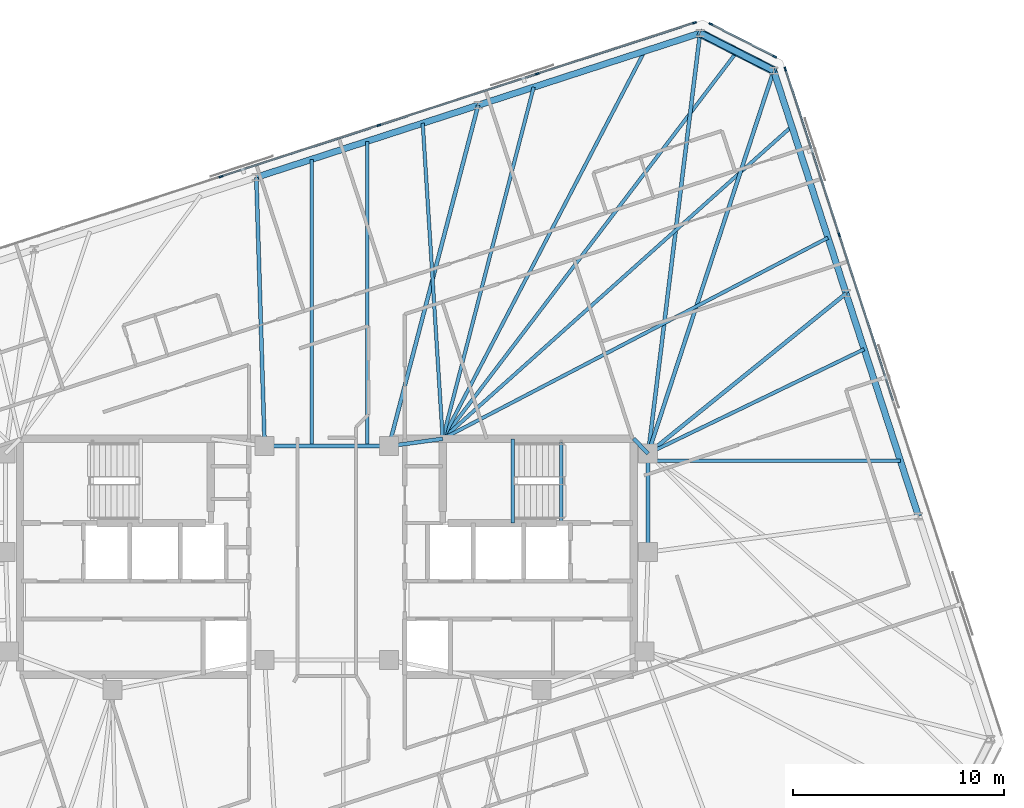
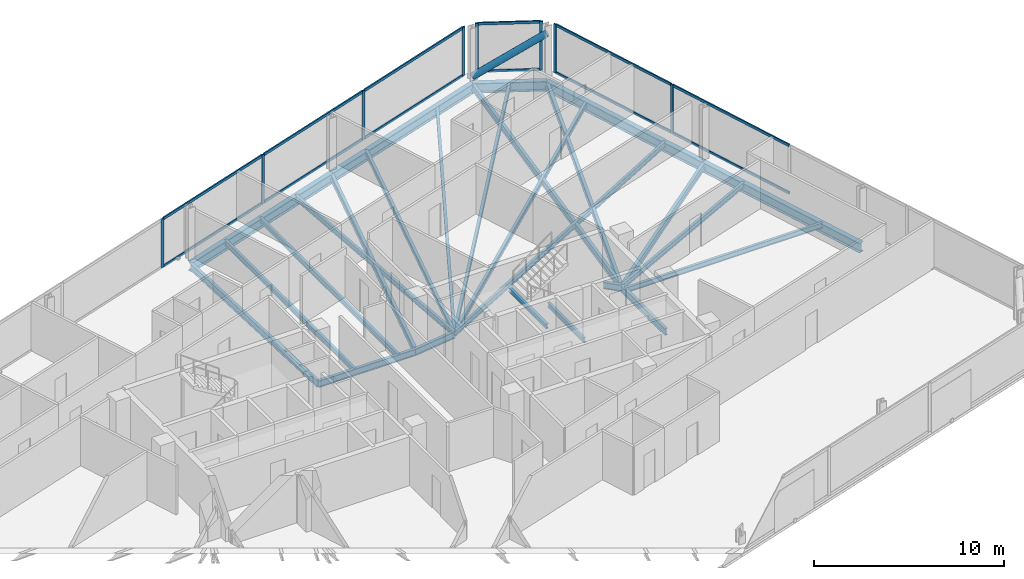
# One storey, part 10 of 19: 26 beams, 21 members, 3 elements without a shape of their own.
"""IFC4 building model written with IfcOpenShell, lengths in metres."""

from ifc_helpers import new_model, si_unit, direction, frame, origin, origin_2d, place, context, subcontext, project, spatial, rectangle, hollow_circle, i_section, extrude, material, material_profile, profile_set, type_object, element, aggregate, save


model = new_model("IFC4")

# Units and contexts
model_context = context("Model", 3, precision=1e-05, world=origin(), true_north=direction((0.0, 1.0)))
body_context = subcontext(model_context, "Body", "Model", "MODEL_VIEW")
ifc_project = project(units=[si_unit("LENGTHUNIT", "METRE"), si_unit("AREAUNIT", "SQUARE_METRE"), si_unit("VOLUMEUNIT", "CUBIC_METRE"), si_unit("PLANEANGLEUNIT", "RADIAN"), si_unit("MASSUNIT", "GRAM", prefix="KILO")], contexts=[model_context])

# Site, building, storey
site_placement = place(None, origin())
site = spatial("IfcSite", under=ifc_project, at=site_placement, CompositionType="ELEMENT")
building_placement = place(site_placement, origin())
building = spatial("IfcBuilding", under=site, at=building_placement, Name="Menara Jurai Vektor", CompositionType="ELEMENT")
storey_placement = place(building_placement, frame((0.0, 0.0, 210.89990234375)))
storey = spatial("IfcBuildingStorey", under=building, at=storey_placement, Name="L55", CompositionType="ELEMENT", Elevation=210.89990234375)

# Curtain wall, members
ifc_material_1 = material(Name="Anodised Pale Aluminium & Low-E Double Glazing", Category="aluminium")
curtain_wall_type = type_object("IfcCurtainWallType", Name="CW-BLK4", PredefinedType="NOTDEFINED", material=ifc_material_1)
curtain_wall_1_placement = place(storey_placement, origin())
curtain_wall_1 = element("IfcCurtainWall", 1, at=curtain_wall_1_placement, inside=storey, type_object=curtain_wall_type, Name="Unitised Curtain Wall L55 F03", PredefinedType="NOTDEFINED")
ifc_material_2 = material(Name="Anodised Pale Aluminium Mullion", Category="aluminium")
ifc_material_profile_1 = material_profile(ifc_material_2, rectangle(XDim=0.080078125, YDim=0.18994140625, at=origin_2d()), Name="ALU MUL 80x190")
ifc_profile_set_1 = profile_set([ifc_material_profile_1], Name="Anodised Pale Aluminium Mullion")
member_type_1 = type_object("IfcMemberType", Name="CW-BLK4-MUL", PredefinedType="MULLION", material=ifc_profile_set_1)
member_1_placement = place(storey_placement, frame((24.31494140625, 15.28271484375, 0.0), z_axis=(0.0, 0.0, 1.0), x_axis=(-0.95105668295, -0.309016481464, 0.0)))
member_1 = element("IfcMember", 2, at=member_1_placement, type_object=member_type_1, Name="CW-04 mullion 4", PredefinedType="MULLION", context=body_context, shape_type="SweptSolid", body=[
    extrude(rectangle(XDim=0.080078125, YDim=0.18994140625, at=origin_2d()), origin(), (0.0, 0.0, 1.0), 3.125),
])
member_2_placement = place(storey_placement, frame((21.75927734375, 23.14794921875, 0.0), z_axis=(0.0, 0.0, 1.0), x_axis=(-0.95105668295, -0.309016481464, 0.0)))
member_2 = element("IfcMember", 3, at=member_2_placement, type_object=member_type_1, Name="CW-04 mullion 5", PredefinedType="MULLION", context=body_context, shape_type="SweptSolid", body=[
    extrude(rectangle(XDim=0.080078125, YDim=0.18994140625, at=origin_2d()), origin(), (0.0, 0.0, 1.0), 3.125),
])

curtain_wall_2_placement = place(storey_placement, origin())
curtain_wall_2 = element("IfcCurtainWall", 4, at=curtain_wall_2_placement, inside=storey, type_object=curtain_wall_type, Name="Unitised Curtain Wall L55 F04", PredefinedType="NOTDEFINED")
member_3_placement = place(storey_placement, frame((21.25537109375, 23.73828125, 0.0), z_axis=(0.0, 0.0, 1.0), x_axis=(-0.453988579828, -0.89100750243, 0.0)))
member_3 = element("IfcMember", 5, at=member_3_placement, type_object=member_type_1, Name="CW-04 mullion 1", PredefinedType="MULLION", context=body_context, shape_type="SweptSolid", body=[
    extrude(rectangle(XDim=0.080078125, YDim=0.18994140625, at=origin_2d()), origin(), (0.0, 0.0, 1.0), 3.125),
])
member_4_placement = place(storey_placement, frame((18.223388671875, 25.282958984375, 0.0), z_axis=(0.0, 0.0, 1.0), x_axis=(-0.453988579828, -0.89100750243, 0.0)))
member_4 = element("IfcMember", 6, at=member_4_placement, type_object=member_type_1, Name="CW-04 mullion 2", PredefinedType="MULLION", context=body_context, shape_type="SweptSolid", body=[
    extrude(rectangle(XDim=0.080078125, YDim=0.18994140625, at=origin_2d()), origin(), (0.0, 0.0, 1.0), 3.125),
])

curtain_wall_3_placement = place(storey_placement, origin())
curtain_wall_3 = element("IfcCurtainWall", 7, at=curtain_wall_3_placement, inside=storey, type_object=curtain_wall_type, Name="Unitised Curtain Wall L55 F05", PredefinedType="NOTDEFINED")
member_5_placement = place(storey_placement, frame((17.44970703125, 25.34375, 0.0), z_axis=(0.0, 0.0, 1.0), x_axis=(0.309017344167, -0.951056402641, 0.0)))
member_5 = element("IfcMember", 8, at=member_5_placement, type_object=member_type_1, Name="CW-04 mullion 1", PredefinedType="MULLION", context=body_context, shape_type="SweptSolid", body=[
    extrude(rectangle(XDim=0.080078125, YDim=0.18994140625, at=origin_2d()), origin(), (0.0, 0.0, 1.0), 3.125),
])
member_6_placement = place(storey_placement, frame((9.982666015625, 22.917724609375, 0.0), z_axis=(0.0, 0.0, 1.0), x_axis=(0.309017344167, -0.951056402641, 0.0)))
member_6 = element("IfcMember", 9, at=member_6_placement, type_object=member_type_1, Name="CW-04 mullion 2", PredefinedType="MULLION", context=body_context, shape_type="SweptSolid", body=[
    extrude(rectangle(XDim=0.080078125, YDim=0.18994140625, at=origin_2d()), origin(), (0.0, 0.0, 1.0), 3.125),
])
member_7_placement = place(storey_placement, frame((2.4775390625, 20.47900390625, 0.0), z_axis=(0.0, 0.0, 1.0), x_axis=(0.309017344167, -0.951056402641, 0.0)))
member_7 = element("IfcMember", 10, at=member_7_placement, type_object=member_type_1, Name="CW-04 mullion 3", PredefinedType="MULLION", context=body_context, shape_type="SweptSolid", body=[
    extrude(rectangle(XDim=0.080078125, YDim=0.18994140625, at=origin_2d()), origin(), (0.0, 0.0, 1.0), 3.125),
])
member_8_placement = place(storey_placement, frame((-5.02783203125, 18.04052734375, 0.0), z_axis=(0.0, 0.0, 1.0), x_axis=(0.309017344167, -0.951056402641, 0.0)))
member_8 = element("IfcMember", 11, at=member_8_placement, type_object=member_type_1, Name="CW-04 mullion 4", PredefinedType="MULLION", context=body_context, shape_type="SweptSolid", body=[
    extrude(rectangle(XDim=0.080078125, YDim=0.18994140625, at=origin_2d()), origin(), (0.0, 0.0, 1.0), 3.125),
])

# Member
ifc_material_3 = material(Name="Anodised Pale Aluminium Transom", Category="aluminium")
ifc_material_profile_2 = material_profile(ifc_material_3, rectangle(XDim=0.080078125, YDim=0.1650390625, at=origin_2d()), Name="ALU TRN 80x165")
ifc_profile_set_2 = profile_set([ifc_material_profile_2], Name="Anodised Pale Aluminium Transom")
member_type_2 = type_object("IfcMemberType", Name="CW-BLK4-TRN", PredefinedType="USERDEFINED", material=ifc_profile_set_2)
member_9_placement = place(storey_placement, frame((26.870361328125, 7.41748046875, 0.0400390625), z_axis=(-0.309010276303, 0.951058699103, 0.0), x_axis=(-0.951058699103, -0.309010276303, 0.0)))
member_9 = element("IfcMember", 12, at=member_9_placement, type_object=member_type_2, Name="CW-04 transom 3.1", ObjectType="TRANSOM", PredefinedType="USERDEFINED", context=body_context, shape_type="SweptSolid", body=[
    extrude(rectangle(XDim=0.080078125, YDim=0.1650390625, at=origin_2d()), origin(), (0.0, 0.0, 1.0), 8.230224609375),
])

member_10_placement = place(storey_placement, frame((26.870361328125, 7.41748046875, 3.085205078125), z_axis=(-0.309010276303, 0.951058699103, 0.0), x_axis=(-0.951058699103, -0.309010276303, 0.0)))
member_10 = element("IfcMember", 13, at=member_10_placement, type_object=member_type_2, Name="CW-04 transom 3.2", ObjectType="TRANSOM", PredefinedType="USERDEFINED", context=body_context, shape_type="SweptSolid", body=[
    extrude(rectangle(XDim=0.080078125, YDim=0.1650390625, at=origin_2d()), origin(), (0.0, 0.0, 1.0), 8.230224609375),
])

member_11_placement = place(storey_placement, frame((24.302490234375, 15.32080078125, 0.0400390625), z_axis=(-0.309001816839, 0.951061447642, 0.0), x_axis=(-0.951061447642, -0.309001816839, 0.0)))
member_11 = element("IfcMember", 14, at=member_11_placement, type_object=member_type_2, Name="CW-04 transom 4.1", ObjectType="TRANSOM", PredefinedType="USERDEFINED", context=body_context, shape_type="SweptSolid", body=[
    extrude(rectangle(XDim=0.080078125, YDim=0.1650390625, at=origin_2d()), origin(), (0.0, 0.0, 1.0), 8.190185546875),
])

member_12_placement = place(storey_placement, frame((24.302490234375, 15.32080078125, 3.085205078125), z_axis=(-0.309001816839, 0.951061447642, 0.0), x_axis=(-0.951061447642, -0.309001816839, 0.0)))
member_12 = element("IfcMember", 15, at=member_12_placement, type_object=member_type_2, Name="CW-04 transom 4.2", ObjectType="TRANSOM", PredefinedType="USERDEFINED", context=body_context, shape_type="SweptSolid", body=[
    extrude(rectangle(XDim=0.080078125, YDim=0.1650390625, at=origin_2d()), origin(), (0.0, 0.0, 1.0), 8.190185546875),
])

aggregate(curtain_wall_1, [member_1, member_2, member_9, member_10, member_11, member_12])

member_13_placement = place(storey_placement, frame((21.2197265625, 23.75634765625, 0.0400390625), z_axis=(-0.89100697374, 0.453989617444, 0.0), x_axis=(-0.453989617444, -0.89100697374, 0.0)))
member_13 = element("IfcMember", 16, at=member_13_placement, type_object=member_type_2, Name="CW-04 transom 1.1", ObjectType="TRANSOM", PredefinedType="USERDEFINED", context=body_context, shape_type="SweptSolid", body=[
    extrude(rectangle(XDim=0.080078125, YDim=0.1650390625, at=origin_2d()), origin(), (0.0, 0.0, 1.0), 3.32275390625),
])

member_14_placement = place(storey_placement, frame((21.2197265625, 23.75634765625, 3.085205078125), z_axis=(-0.89100697374, 0.453989617444, 0.0), x_axis=(-0.453989617444, -0.89100697374, 0.0)))
member_14 = element("IfcMember", 17, at=member_14_placement, type_object=member_type_2, Name="CW-04 transom 1.2", ObjectType="TRANSOM", PredefinedType="USERDEFINED", context=body_context, shape_type="SweptSolid", body=[
    extrude(rectangle(XDim=0.080078125, YDim=0.1650390625, at=origin_2d()), origin(), (0.0, 0.0, 1.0), 3.32275390625),
])

aggregate(curtain_wall_2, [member_3, member_4, member_13, member_14])

member_15_placement = place(storey_placement, frame((17.41162109375, 25.33154296875, 0.0400390625), z_axis=(-0.951049997348, -0.309037056912, 0.0), x_axis=(0.309037056912, -0.951049997348, 0.0)))
member_15 = element("IfcMember", 18, at=member_15_placement, type_object=member_type_2, Name="CW-04 transom 1.1", ObjectType="TRANSOM", PredefinedType="USERDEFINED", context=body_context, shape_type="SweptSolid", body=[
    extrude(rectangle(XDim=0.080078125, YDim=0.1650390625, at=origin_2d()), origin(), (0.0, 0.0, 1.0), 7.771240234375),
])

member_16_placement = place(storey_placement, frame((17.41162109375, 25.33154296875, 3.085205078125), z_axis=(-0.951049997348, -0.309037056912, 0.0), x_axis=(0.309037056912, -0.951049997348, 0.0)))
member_16 = element("IfcMember", 19, at=member_16_placement, type_object=member_type_2, Name="CW-04 transom 1.2", ObjectType="TRANSOM", PredefinedType="USERDEFINED", context=body_context, shape_type="SweptSolid", body=[
    extrude(rectangle(XDim=0.080078125, YDim=0.1650390625, at=origin_2d()), origin(), (0.0, 0.0, 1.0), 7.771240234375),
])

member_17_placement = place(storey_placement, frame((9.944580078125, 22.9052734375, 0.0400390625), z_axis=(-0.951059330237, -0.309008333817, 0.0), x_axis=(0.309008333817, -0.951059330237, 0.0)))
member_17 = element("IfcMember", 20, at=member_17_placement, type_object=member_type_2, Name="CW-04 transom 2.1", ObjectType="TRANSOM", PredefinedType="USERDEFINED", context=body_context, shape_type="SweptSolid", body=[
    extrude(rectangle(XDim=0.080078125, YDim=0.1650390625, at=origin_2d()), origin(), (0.0, 0.0, 1.0), 7.8115234375),
])

member_18_placement = place(storey_placement, frame((9.944580078125, 22.9052734375, 3.085205078125), z_axis=(-0.951059330237, -0.309008333817, 0.0), x_axis=(0.309008333817, -0.951059330237, 0.0)))
member_18 = element("IfcMember", 21, at=member_18_placement, type_object=member_type_2, Name="CW-04 transom 2.2", ObjectType="TRANSOM", PredefinedType="USERDEFINED", context=body_context, shape_type="SweptSolid", body=[
    extrude(rectangle(XDim=0.080078125, YDim=0.1650390625, at=origin_2d()), origin(), (0.0, 0.0, 1.0), 7.8115234375),
])

member_19_placement = place(storey_placement, frame((2.439453125, 20.466552734375, 0.0400390625), z_axis=(-0.951059330237, -0.309008333817, 0.0), x_axis=(0.309008333817, -0.951059330237, 0.0)))
member_19 = element("IfcMember", 22, at=member_19_placement, type_object=member_type_2, Name="CW-04 transom 3.1", ObjectType="TRANSOM", PredefinedType="USERDEFINED", context=body_context, shape_type="SweptSolid", body=[
    extrude(rectangle(XDim=0.080078125, YDim=0.1650390625, at=origin_2d()), origin(), (0.0, 0.0, 1.0), 7.8115234375),
])

member_20_placement = place(storey_placement, frame((2.439453125, 20.466552734375, 3.085205078125), z_axis=(-0.951059330237, -0.309008333817, 0.0), x_axis=(0.309008333817, -0.951059330237, 0.0)))
member_20 = element("IfcMember", 23, at=member_20_placement, type_object=member_type_2, Name="CW-04 transom 3.2", ObjectType="TRANSOM", PredefinedType="USERDEFINED", context=body_context, shape_type="SweptSolid", body=[
    extrude(rectangle(XDim=0.080078125, YDim=0.1650390625, at=origin_2d()), origin(), (0.0, 0.0, 1.0), 7.8115234375),
])

aggregate(curtain_wall_3, [member_5, member_6, member_7, member_8, member_15, member_16, member_17, member_18, member_19, member_20])

# Beams
ifc_material_4 = material(Name="Steel S355", Category="steel")
ifc_material_profile_3 = material_profile(ifc_material_4, i_section(OverallWidth=0.18505859375, OverallDepth=0.429931640625, WebThickness=0.010986328125, FlangeThickness=0.01806640625, at=origin_2d()), Name="PG 430x185x76")
ifc_profile_set_3 = profile_set([ifc_material_profile_3], Name="Steel S355")
beam_type_1 = type_object("IfcBeamType", Name="STR-BM-430", PredefinedType="BEAM", material=ifc_profile_set_3)
beam_1_placement = place(storey_placement, frame((2.949951171875, 5.25, -0.43994140625), z_axis=(0.990706818608, 0.136014703483, 0.0), x_axis=(-0.136014703483, 0.990706818608, 0.0)))
element("IfcBeam", 24, at=beam_1_placement, inside=storey, type_object=beam_type_1, Name="Core Ring Header Girder L55-CHE-N1", PredefinedType="BEAM", context=body_context, shape_type="SweptSolid", body=[
    extrude(i_section(OverallWidth=0.18505859375, OverallDepth=0.429931640625, WebThickness=0.010986328125, FlangeThickness=0.01806640625, at=origin_2d()), origin(), (0.0, 0.0, 1.0), 2.573974609375),
])
beam_2_placement = place(storey_placement, frame((14.56005859375, 5.60009765625, -0.43994140625), z_axis=(0.701871936926, -0.712303154672, 0.0), x_axis=(0.712303154672, 0.701871936926, 0.0)))
element("IfcBeam", 25, at=beam_2_placement, inside=storey, type_object=beam_type_1, Name="Core Ring Header Girder L55-CHE-N2", PredefinedType="BEAM", context=body_context, shape_type="SweptSolid", body=[
    extrude(i_section(OverallWidth=0.18505859375, OverallDepth=0.429931640625, WebThickness=0.010986328125, FlangeThickness=0.01806640625, at=origin_2d()), origin(), (0.0, 0.0, 1.0), 0.98291015625),
])
beam_3_placement = place(storey_placement, frame((15.25, 0.219970703125, -0.43994140625), z_axis=(0.0, 1.0, 0.0), x_axis=(-1.0, 0.0, 0.0)))
element("IfcBeam", 26, at=beam_3_placement, inside=storey, type_object=beam_type_1, Name="Core Ring Header Girder L55-CHE-E1", PredefinedType="BEAM", context=body_context, shape_type="SweptSolid", body=[
    extrude(i_section(OverallWidth=0.18505859375, OverallDepth=0.429931640625, WebThickness=0.010986328125, FlangeThickness=0.01806640625, at=origin_2d()), origin(), (0.0, 0.0, 1.0), 4.679931640625),
])
beam_4_placement = place(storey_placement, frame((-2.949951171875, 5.25, -0.43994140625), z_axis=(1.0, 0.0, 0.0), x_axis=(0.0, 1.0, 0.0)))
element("IfcBeam", 27, at=beam_4_placement, inside=storey, type_object=beam_type_1, Name="Core Ring Header Girder L55-CC-2", PredefinedType="BEAM", context=body_context, shape_type="SweptSolid", body=[
    extrude(i_section(OverallWidth=0.18505859375, OverallDepth=0.429931640625, WebThickness=0.010986328125, FlangeThickness=0.01806640625, at=origin_2d()), origin(), (0.0, 0.0, 1.0), 5.89990234375),
])
beam_5_placement = place(storey_placement, frame((24.641845703125, 12.496826171875, -0.43994140625), z_axis=(-0.777487674144, -0.628898176619, 0.0), x_axis=(0.628898176619, -0.777487674144, 0.0)))
element("IfcBeam", 28, at=beam_5_placement, inside=storey, type_object=beam_type_1, Name="Radial Floor Girder L55-E3", PredefinedType="BEAM", context=body_context, shape_type="SweptSolid", body=[
    extrude(i_section(OverallWidth=0.18505859375, OverallDepth=0.429931640625, WebThickness=0.010986328125, FlangeThickness=0.01806640625, at=origin_2d()), origin(), (0.0, 0.0, 1.0), 12.079833984375),
])
beam_6_placement = place(storey_placement, frame((21.205810546875, 23.071044921875, -0.43994140625), z_axis=(-0.311459010005, -0.950259588263, 0.0), x_axis=(0.950259588263, -0.311459010005, 0.0)))
element("IfcBeam", 29, at=beam_6_placement, inside=storey, type_object=beam_type_1, Name="Radial Floor Girder L55-E4", PredefinedType="BEAM", context=body_context, shape_type="SweptSolid", body=[
    extrude(i_section(OverallWidth=0.18505859375, OverallDepth=0.429931640625, WebThickness=0.010986328125, FlangeThickness=0.01806640625, at=origin_2d()), origin(), (0.0, 0.0, 1.0), 19.122314453125),
])
beam_7_placement = place(storey_placement, frame((17.712890625, 24.85107421875, -0.43994140625), z_axis=(-0.122515938756, -0.99246654591, 0.0), x_axis=(0.99246654591, -0.122515938756, 0.0)))
element("IfcBeam", 30, at=beam_7_placement, inside=storey, type_object=beam_type_1, Name="Radial Floor Girder L55-N1", PredefinedType="BEAM", context=body_context, shape_type="SweptSolid", body=[
    extrude(i_section(OverallWidth=0.18505859375, OverallDepth=0.429931640625, WebThickness=0.010986328125, FlangeThickness=0.01806640625, at=origin_2d()), origin(), (0.0, 0.0, 1.0), 20.1025390625),
])
beam_8_placement = place(storey_placement, frame((7.18359375, 21.4296875, -0.43994140625), z_axis=(-0.253141463003, -0.96742927375, 0.0), x_axis=(0.96742927375, -0.253141463003, 0.0)))
element("IfcBeam", 31, at=beam_8_placement, inside=storey, type_object=beam_type_1, Name="Radial Floor Girder L55-N2", PredefinedType="BEAM", context=body_context, shape_type="SweptSolid", body=[
    extrude(i_section(OverallWidth=0.18505859375, OverallDepth=0.429931640625, WebThickness=0.010986328125, FlangeThickness=0.01806640625, at=origin_2d()), origin(), (0.0, 0.0, 1.0), 16.724365234375),
])
beam_9_placement = place(storey_placement, frame((-3.345703125, 18.008544921875, -0.43994140625), z_axis=(0.031003668991, -0.999519270704, 0.0), x_axis=(0.999519270704, 0.031003668991, 0.0)))
element("IfcBeam", 32, at=beam_9_placement, inside=storey, type_object=beam_type_1, Name="Radial Floor Girder L55-N3", PredefinedType="BEAM", context=body_context, shape_type="SweptSolid", body=[
    extrude(i_section(OverallWidth=0.18505859375, OverallDepth=0.429931640625, WebThickness=0.010986328125, FlangeThickness=0.01806640625, at=origin_2d()), origin(), (0.0, 0.0, 1.0), 12.7646484375),
])

# Member
ifc_material_5 = material(Name="Steel S460", Category="steel")
ifc_material_profile_4 = material_profile(ifc_material_5, hollow_circle(Radius=0.203125, WallThickness=0.01611328125, at=origin_2d()), Name="CHS 406.4x16")
ifc_profile_set_4 = profile_set([ifc_material_profile_4], Name="Steel S460")
member_type_3 = type_object("IfcMemberType", Name="STR-BR-406", PredefinedType="BRACE", material=ifc_profile_set_4)
member_21_placement = place(storey_placement, frame((17.712890625, 24.85107421875, 0.150146484375), z_axis=(0.740360915323, -0.377269459996, 0.556357321886), x_axis=(0.454025593397, 0.890988642206, 0.0)))
element("IfcMember", 33, at=member_21_placement, inside=storey, type_object=member_type_3, Name="Exoskeleton Corner Brace L55-2", PredefinedType="BRACE", context=body_context, shape_type="SweptSolid", body=[
    extrude(hollow_circle(Radius=0.203125, WallThickness=0.01611328125, at=origin_2d()), origin(), (0.0, 0.0, 1.0), 4.71826171875),
])

# Beams
ifc_material_profile_5 = material_profile(ifc_material_4, i_section(OverallWidth=0.1650390625, OverallDepth=0.330078125, WebThickness=0.009033203125, FlangeThickness=0.013916015625, at=origin_2d()), Name="PG 330x165x46")
ifc_profile_set_5 = profile_set([ifc_material_profile_5], Name="Steel S355")
beam_type_2 = type_object("IfcBeamType", Name="STR-JS-330", PredefinedType="JOIST", material=ifc_profile_set_5)
beam_10_placement = place(storey_placement, frame((27.218505859375, 4.56591796875, -0.389892578125), z_axis=(-1.0, 0.0, 0.0), x_axis=(0.0, -1.0, 0.0)))
element("IfcBeam", 34, at=beam_10_placement, inside=storey, type_object=beam_type_2, Name="Radial Secondary Floor Joist L55-JS11", PredefinedType="JOIST", context=body_context, shape_type="SweptSolid", body=[
    extrude(i_section(OverallWidth=0.1650390625, OverallDepth=0.330078125, WebThickness=0.009033203125, FlangeThickness=0.013916015625, at=origin_2d()), origin(), (0.0, 0.0, 1.0), 11.968505859375),
])
beam_11_placement = place(storey_placement, frame((25.500732421875, 9.853271484375, -0.389892578125), z_axis=(-0.900388578627, -0.435086666629, 0.0), x_axis=(0.435086666629, -0.900388578627, 0.0)))
element("IfcBeam", 35, at=beam_11_placement, inside=storey, type_object=beam_type_2, Name="Radial Secondary Floor Joist L55-JS12", PredefinedType="JOIST", context=body_context, shape_type="SweptSolid", body=[
    extrude(i_section(OverallWidth=0.1650390625, OverallDepth=0.330078125, WebThickness=0.009033203125, FlangeThickness=0.013916015625, at=origin_2d()), origin(), (0.0, 0.0, 1.0), 11.384765625),
])
beam_12_placement = place(storey_placement, frame((23.78271484375, 15.140380859375, -0.389892578125), z_axis=(-0.886555502614, -0.462622244153, 0.0), x_axis=(0.462622244153, -0.886555502614, 0.0)))
element("IfcBeam", 36, at=beam_12_placement, inside=storey, type_object=beam_type_2, Name="Radial Secondary Floor Joist L55-JS13", PredefinedType="JOIST", context=body_context, shape_type="SweptSolid", body=[
    extrude(i_section(OverallWidth=0.1650390625, OverallDepth=0.330078125, WebThickness=0.009033203125, FlangeThickness=0.013916015625, at=origin_2d()), origin(), (0.0, 0.0, 1.0), 20.6220703125),
])
beam_13_placement = place(storey_placement, frame((22.06494140625, 20.427490234375, -0.389892578125), z_axis=(-0.745104297608, -0.666947963252, 0.0), x_axis=(0.666947963252, -0.745104297608, 0.0)))
element("IfcBeam", 37, at=beam_13_placement, inside=storey, type_object=beam_type_2, Name="Radial Secondary Floor Joist L55-JS14", PredefinedType="JOIST", context=body_context, shape_type="SweptSolid", body=[
    extrude(i_section(OverallWidth=0.1650390625, OverallDepth=0.330078125, WebThickness=0.009033203125, FlangeThickness=0.013916015625, at=origin_2d()), origin(), (0.0, 0.0, 1.0), 22.231689453125),
])
beam_14_placement = place(storey_placement, frame((19.45947265625, 23.9609375, -0.389892578125), z_axis=(-0.605227110118, -0.796052853257, 0.0), x_axis=(0.796052853257, -0.605227110118, 0.0)))
element("IfcBeam", 38, at=beam_14_placement, inside=storey, type_object=beam_type_2, Name="Radial Secondary Floor Joist L55-JS15", PredefinedType="JOIST", context=body_context, shape_type="SweptSolid", body=[
    extrude(i_section(OverallWidth=0.1650390625, OverallDepth=0.330078125, WebThickness=0.009033203125, FlangeThickness=0.013916015625, at=origin_2d()), origin(), (0.0, 0.0, 1.0), 23.06494140625),
])
beam_15_placement = place(storey_placement, frame((15.08056640625, 23.99560546875, -0.389892578125), z_axis=(-0.461918215026, -0.886922523464, 0.0), x_axis=(0.886922523464, -0.461918215026, 0.0)))
element("IfcBeam", 39, at=beam_15_placement, inside=storey, type_object=beam_type_2, Name="Radial Secondary Floor Joist L55-JS16", PredefinedType="JOIST", context=body_context, shape_type="SweptSolid", body=[
    extrude(i_section(OverallWidth=0.1650390625, OverallDepth=0.330078125, WebThickness=0.009033203125, FlangeThickness=0.013916015625, at=origin_2d()), origin(), (0.0, 0.0, 1.0), 20.74072265625),
])
beam_16_placement = place(storey_placement, frame((9.81591796875, 22.28515625, -0.389892578125), z_axis=(-0.250427234151, -0.968135424616, 0.0), x_axis=(0.968135424616, -0.250427234151, 0.0)))
element("IfcBeam", 40, at=beam_16_placement, inside=storey, type_object=beam_type_2, Name="Radial Secondary Floor Joist L55-JS17", PredefinedType="JOIST", context=body_context, shape_type="SweptSolid", body=[
    extrude(i_section(OverallWidth=0.1650390625, OverallDepth=0.330078125, WebThickness=0.009033203125, FlangeThickness=0.013916015625, at=origin_2d()), origin(), (0.0, 0.0, 1.0), 17.234130859375),
])
beam_17_placement = place(storey_placement, frame((4.55126953125, 20.574462890625, -0.389892578125), z_axis=(0.063230194737, -0.997998969175, 0.0), x_axis=(0.997998969175, 0.063230194737, 0.0)))
element("IfcBeam", 41, at=beam_17_placement, inside=storey, type_object=beam_type_2, Name="Radial Secondary Floor Joist L55-JS18", PredefinedType="JOIST", context=body_context, shape_type="SweptSolid", body=[
    extrude(i_section(OverallWidth=0.1650390625, OverallDepth=0.330078125, WebThickness=0.009033203125, FlangeThickness=0.013916015625, at=origin_2d()), origin(), (0.0, 0.0, 1.0), 15.00439453125),
])
beam_18_placement = place(storey_placement, frame((1.9189453125, 19.71923828125, -0.389892578125), z_axis=(0.0, -1.0, 0.0), x_axis=(1.0, 0.0, 0.0)))
element("IfcBeam", 42, at=beam_18_placement, inside=storey, type_object=beam_type_2, Name="Radial Secondary Floor Joist L55-JS19", PredefinedType="JOIST", context=body_context, shape_type="SweptSolid", body=[
    extrude(i_section(OverallWidth=0.1650390625, OverallDepth=0.330078125, WebThickness=0.009033203125, FlangeThickness=0.013916015625, at=origin_2d()), origin(), (0.0, 0.0, 1.0), 14.46923828125),
])
beam_19_placement = place(storey_placement, frame((-0.71337890625, 18.864013671875, -0.389892578125), z_axis=(0.0, -1.0, 0.0), x_axis=(1.0, 0.0, 0.0)))
element("IfcBeam", 43, at=beam_19_placement, inside=storey, type_object=beam_type_2, Name="Radial Secondary Floor Joist L55-JS20", PredefinedType="JOIST", context=body_context, shape_type="SweptSolid", body=[
    extrude(i_section(OverallWidth=0.1650390625, OverallDepth=0.330078125, WebThickness=0.009033203125, FlangeThickness=0.013916015625, at=origin_2d()), origin(), (0.0, 0.0, 1.0), 13.614013671875),
])
ifc_material_profile_6 = material_profile(ifc_material_4, i_section(OverallWidth=0.1650390625, OverallDepth=0.302978515625, WebThickness=0.006103515625, FlangeThickness=0.010009765625, FilletRadius=0.009033203125, at=origin_2d()), Name="UKB 305x165x40")
ifc_profile_set_6 = profile_set([ifc_material_profile_6], Name="Steel S355")
beam_type_3 = type_object("IfcBeamType", Name="STR-LN-305", PredefinedType="LINTEL", material=ifc_profile_set_6)
beam_20_placement = place(storey_placement, frame((11.1201171875, 1.60009765625, -0.37646484375), z_axis=(0.0, 1.0, 0.0), x_axis=(-1.0, 0.0, 0.0)))
element("IfcBeam", 44, at=beam_20_placement, inside=storey, type_object=beam_type_3, Name="Stair Well Floor Trimmer ST2 L55", PredefinedType="LINTEL", context=body_context, shape_type="SweptSolid", body=[
    extrude(i_section(OverallWidth=0.1650390625, OverallDepth=0.302978515625, WebThickness=0.006103515625, FlangeThickness=0.010009765625, FilletRadius=0.009033203125, at=origin_2d()), origin(), (0.0, 0.0, 1.0), 3.81982421875),
])
beam_21_placement = place(storey_placement, frame((8.830078125, 1.60009765625, 1.323486328125), z_axis=(0.0, 1.0, 0.0), x_axis=(-1.0, 0.0, 0.0)))
element("IfcBeam", 45, at=beam_21_placement, inside=storey, type_object=beam_type_3, Name="Stair Half-Landing Nosing Trimmer ST2-1 L55", PredefinedType="LINTEL", context=body_context, shape_type="SweptSolid", body=[
    extrude(i_section(OverallWidth=0.1650390625, OverallDepth=0.302978515625, WebThickness=0.006103515625, FlangeThickness=0.010009765625, FilletRadius=0.009033203125, at=origin_2d()), origin(), (0.0, 0.0, 1.0), 4.0),
])
ifc_material_profile_7 = material_profile(ifc_material_4, i_section(OverallWidth=0.306884765625, OverallDepth=0.6201171875, WebThickness=0.013916015625, FlangeThickness=0.02392578125, FilletRadius=0.01708984375, at=origin_2d()), Name="UKB 610x305x179")
ifc_profile_set_7 = profile_set([ifc_material_profile_7], Name="Steel S355")
beam_type_4 = type_object("IfcBeamType", Name="STR-SP-610", PredefinedType="SPANDREL", material=ifc_profile_set_7)
beam_22_placement = place(storey_placement, frame((28.07763671875, 1.92236328125, -0.534912109375), z_axis=(-0.309012092614, 0.95105810896, 0.0), x_axis=(-0.95105810896, -0.309012092614, 0.0)))
element("IfcBeam", 46, at=beam_22_placement, inside=storey, type_object=beam_type_4, Name="Exoskeleton Spandrel Beam L55-08", PredefinedType="SPANDREL", context=body_context, shape_type="SweptSolid", body=[
    extrude(i_section(OverallWidth=0.306884765625, OverallDepth=0.6201171875, WebThickness=0.013916015625, FlangeThickness=0.02392578125, FilletRadius=0.01708984375, at=origin_2d()), origin(), (0.0, 0.0, 1.0), 11.11865234375),
])
beam_23_placement = place(storey_placement, frame((24.641845703125, 12.496826171875, -0.534912109375), z_axis=(-0.309038407092, 0.951049558615, 0.0), x_axis=(-0.951049558615, -0.309038407092, 0.0)))
element("IfcBeam", 47, at=beam_23_placement, inside=storey, type_object=beam_type_4, Name="Exoskeleton Spandrel Beam L55-09", PredefinedType="SPANDREL", context=body_context, shape_type="SweptSolid", body=[
    extrude(i_section(OverallWidth=0.306884765625, OverallDepth=0.6201171875, WebThickness=0.013916015625, FlangeThickness=0.02392578125, FilletRadius=0.01708984375, at=origin_2d()), origin(), (0.0, 0.0, 1.0), 11.118408203125),
])
beam_24_placement = place(storey_placement, frame((21.205810546875, 23.071044921875, -0.534912109375), z_axis=(-0.890975804423, 0.454050785633, 0.0), x_axis=(-0.454050785633, -0.890975804423, 0.0)))
element("IfcBeam", 48, at=beam_24_placement, inside=storey, type_object=beam_type_4, Name="Exoskeleton Spandrel Beam L55-10", PredefinedType="SPANDREL", context=body_context, shape_type="SweptSolid", body=[
    extrude(i_section(OverallWidth=0.306884765625, OverallDepth=0.6201171875, WebThickness=0.013916015625, FlangeThickness=0.02392578125, FilletRadius=0.01708984375, at=origin_2d()), origin(), (0.0, 0.0, 1.0), 3.92041015625),
])
beam_25_placement = place(storey_placement, frame((17.712890625, 24.85107421875, -0.534912109375), z_axis=(-0.951050920942, -0.309034214572, 0.0), x_axis=(0.309034214572, -0.951050920942, 0.0)))
element("IfcBeam", 49, at=beam_25_placement, inside=storey, type_object=beam_type_4, Name="Exoskeleton Spandrel Beam L55-11", PredefinedType="SPANDREL", context=body_context, shape_type="SweptSolid", body=[
    extrude(i_section(OverallWidth=0.306884765625, OverallDepth=0.6201171875, WebThickness=0.013916015625, FlangeThickness=0.02392578125, FilletRadius=0.01708984375, at=origin_2d()), origin(), (0.0, 0.0, 1.0), 11.0712890625),
])
beam_26_placement = place(storey_placement, frame((7.18359375, 21.4296875, -0.534912109375), z_axis=(-0.951057401967, -0.309014268544, 0.0), x_axis=(0.309014268544, -0.951057401967, 0.0)))
element("IfcBeam", 50, at=beam_26_placement, inside=storey, type_object=beam_type_4, Name="Exoskeleton Spandrel Beam L55-12", PredefinedType="SPANDREL", context=body_context, shape_type="SweptSolid", body=[
    extrude(i_section(OverallWidth=0.306884765625, OverallDepth=0.6201171875, WebThickness=0.013916015625, FlangeThickness=0.02392578125, FilletRadius=0.01708984375, at=origin_2d()), origin(), (0.0, 0.0, 1.0), 11.071044921875),
])

save(model, "model.ifc")
